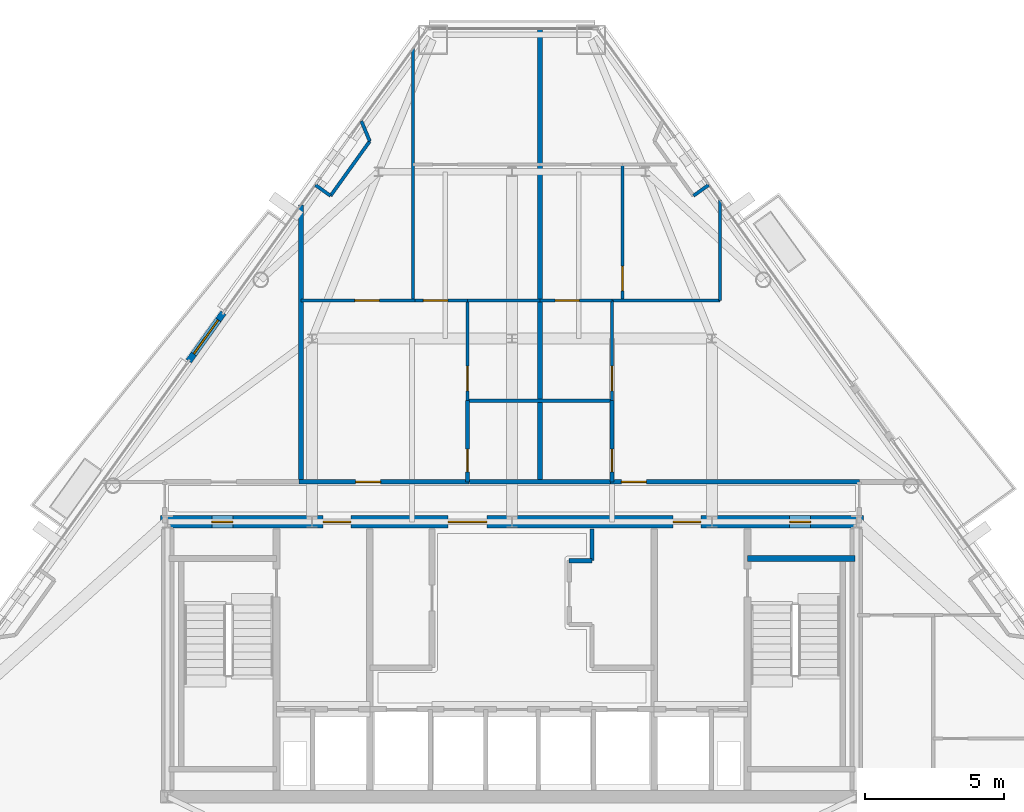
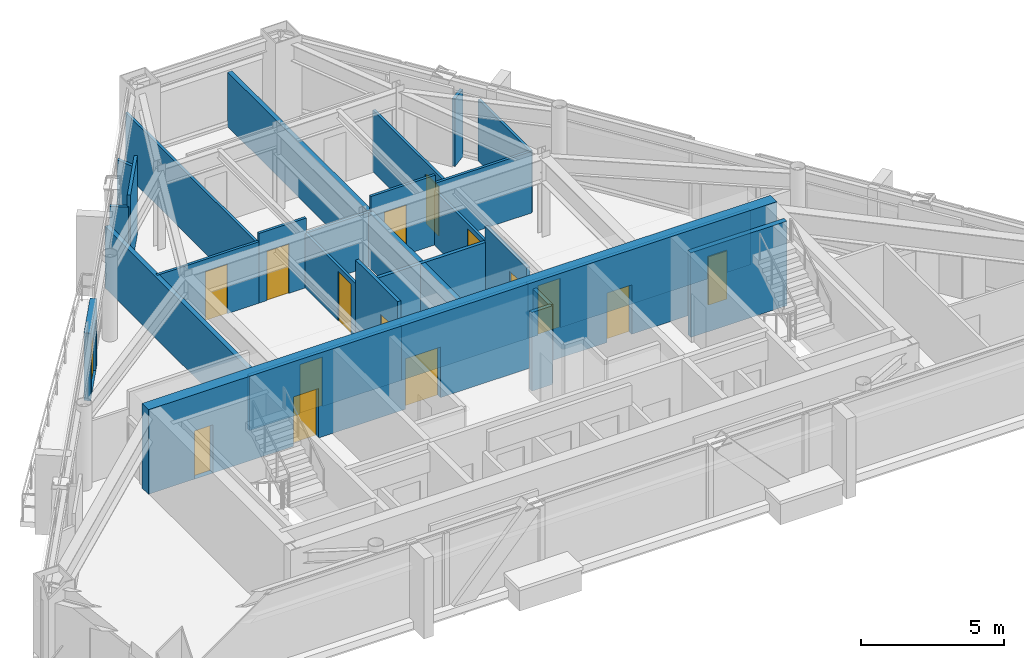
# One storey, part 8 of 11: 27 walls, 16 doors, 16 openings.
"""IFC4 building model written with IfcOpenShell, lengths in metres."""

from ifc_helpers import new_model, si_unit, direction, frame, frame_2d, origin, place, context, subcontext, project, spatial, rectangle, extrude, material, layer, layer_set, type_object, element, fill, save


model = new_model("IFC4")

# Units and contexts
model_context = context("Model", 3, precision=1e-05, world=origin(), true_north=direction((0.0, 1.0)))
body_context = subcontext(model_context, "Body", "Model", "MODEL_VIEW")
ifc_project = project(units=[si_unit("LENGTHUNIT", "METRE"), si_unit("AREAUNIT", "SQUARE_METRE"), si_unit("VOLUMEUNIT", "CUBIC_METRE"), si_unit("PLANEANGLEUNIT", "RADIAN"), si_unit("MASSUNIT", "GRAM", prefix="KILO")], contexts=[model_context])

# Site, building, storey
site_placement = place(None, origin())
site = spatial("IfcSite", under=ifc_project, at=site_placement, CompositionType="ELEMENT")
building_placement = place(site_placement, origin())
building = spatial("IfcBuilding", under=site, at=building_placement, Name="Talgorran Terracotta Tower", CompositionType="ELEMENT")
storey_placement = place(building_placement, frame((0.0, 0.0, 218.10009765625)))
storey = spatial("IfcBuildingStorey", under=building, at=storey_placement, Name="L57", CompositionType="ELEMENT", Elevation=218.10009765625)

# Wall, opening, door
ifc_material_1 = material(Name="Concrete C40/50", Category="concrete")
ifc_layer_1 = layer(ifc_material_1, 0.239990234375, Name="WT_BALCONY_SPAND")
ifc_layer_set_1 = layer_set([ifc_layer_1], Name="Concrete C40/50")
wall_type_1 = type_object("IfcWallType", Name="WT_BALCONY_SPAND", PredefinedType="STANDARD", material=ifc_layer_set_1)
wall_1_placement = place(storey_placement, frame((-10.3896484375, 3.3251953125, -0.01513671875), z_axis=(0.0, 0.0, 1.0), x_axis=(-0.583092889468, -0.812405491274, 0.0)))
wall_1 = element("IfcWall", 1, at=wall_1_placement, inside=storey, type_object=wall_type_1, Name="WL-L57-BALP-BAL-NW", PredefinedType="STANDARD", context=body_context, shape_type="SweptSolid", body=[
    extrude(rectangle(XDim=2.139892578125, YDim=0.239990234375, at=frame_2d((1.06982421875, 0.0))), origin(), (0.0, 0.0, 1.0), 2.8779296875),
])
opening_1_placement = place(wall_1_placement, frame((0.320068359375, 0.0, 0.014892578125)))
opening_1 = element("IfcOpeningElement", 2, at=opening_1_placement, cuts=wall_1, Name="Opening D-BAL-L57-2", PredefinedType="OPENING", context=body_context, shape_type="SweptSolid", body=[
    extrude(rectangle(XDim=1.506, YDim=2.203951171875, at=frame_2d((0.75, 1.10205078125))), frame((0.0, 0.1298828125, 0.0), z_axis=(0.0, -1.0, 0.0), x_axis=(1.0, 0.0, 0.0)), (0.0, 0.0, 1.0), 0.260009765625),
])
ifc_material_2 = material(Name="Thermally Broken Aluminium", Category="aluminium")
door_type_1 = type_object("IfcDoorType", Name="DT_BALC_1500", OperationType="SLIDING_TO_RIGHT", PredefinedType="DOOR", material=ifc_material_2)
door_1_placement = place(opening_1_placement, origin())
door_1 = element("IfcDoor", 3, at=door_1_placement, inside=storey, type_object=door_type_1, Name="DR-L57-BAL-BAL-NW", OperationType="SLIDING_TO_RIGHT", OverallHeight=2.199951171875, OverallWidth=1.5, PredefinedType="DOOR", context=body_context, shape_type="SweptSolid", body=[
    extrude(rectangle(XDim=1.5, YDim=2.199951171875, at=frame_2d((0.75, 1.10009765625))), frame((0.0, 0.02490234375, 0.0), z_axis=(0.0, -1.0, 0.0), x_axis=(1.0, 0.0, 0.0)), (0.0, 0.0, 1.0), 0.050048828125),
])
fill(opening_1, door_1)

# Wall
ifc_material_3 = material(Name="Concrete C50/60", Category="concrete")
ifc_layer_2 = layer(ifc_material_3, 0.199951171875, Name="WT_CORE_200")
ifc_layer_set_2 = layer_set([ifc_layer_2], Name="Concrete C50/60")
wall_type_2 = type_object("IfcWallType", Name="WT_CORE_200", PredefinedType="SOLIDWALL", material=ifc_layer_set_2)
wall_2_placement = place(storey_placement, frame((8.47998046875, -5.52001953125, 0.0), z_axis=(0.0, 0.0, 1.0), x_axis=(1.0, 0.0, 0.0)))
element("IfcWall", 4, at=wall_2_placement, inside=storey, type_object=wall_type_2, Name="WL-L57-CW-ST2-N", PredefinedType="SOLIDWALL", context=body_context, shape_type="SweptSolid", body=[
    extrude(rectangle(XDim=3.8701171875, YDim=0.199951171875, at=frame_2d((1.93505859375, 0.0))), origin(), (0.0, 0.0, 1.0), 3.599853515625),
])

# Wall, openings, doors
ifc_material_4 = material(Name="Concrete C65/80", Category="concrete")
ifc_layer_3 = layer(ifc_material_4, 0.449951171875, Name="WT_CORE_EXT")
ifc_layer_set_3 = layer_set([ifc_layer_3], Name="Concrete C65/80")
wall_type_3 = type_object("IfcWallType", Name="WT_CORE_EXT", PredefinedType="SHEAR", material=ifc_layer_set_3)
wall_3_placement = place(storey_placement, frame((-12.64990234375, -4.199951171875, 0.0), z_axis=(0.0, 0.0, 1.0), x_axis=(1.0, 0.0, 0.0)))
wall_3 = element("IfcWall", 5, at=wall_3_placement, inside=storey, type_object=wall_type_3, Name="WL-L57-CW-OUT-N", PredefinedType="SHEAR", context=body_context, shape_type="SweptSolid", body=[
    extrude(rectangle(XDim=25.2998046875, YDim=0.449951171875, at=frame_2d((12.64990234375, 0.0))), origin(), (0.0, 0.0, 1.0), 3.599853515625),
])
opening_2_placement = place(wall_3_placement, frame((1.85009765625, 0.0, 0.0)))
opening_2 = element("IfcOpeningElement", 6, at=opening_2_placement, cuts=wall_3, Name="Opening DR-CSN1", PredefinedType="OPENING", context=body_context, shape_type="SweptSolid", body=[
    extrude(rectangle(XDim=0.756, YDim=2.054048828125, at=frame_2d((0.375, 1.027099609375))), frame((0.0, 0.23486328125, 0.0), z_axis=(0.0, -1.0, 0.0), x_axis=(1.0, 0.0, 0.0)), (0.0, 0.0, 1.0), 0.469970703125),
])
opening_3_placement = place(wall_3_placement, frame((22.64990234375, 0.0, 0.0)))
opening_3 = element("IfcOpeningElement", 7, at=opening_3_placement, cuts=wall_3, Name="Opening DR-CSN2", PredefinedType="OPENING", context=body_context, shape_type="SweptSolid", body=[
    extrude(rectangle(XDim=0.756, YDim=2.054048828125, at=frame_2d((0.375, 1.027099609375))), frame((0.0, 0.23486328125, 0.0), z_axis=(0.0, -1.0, 0.0), x_axis=(1.0, 0.0, 0.0)), (0.0, 0.0, 1.0), 0.469970703125),
])
opening_4_placement = place(wall_3_placement, frame((5.85009765625, 0.0, 0.0)))
opening_4 = element("IfcOpeningElement", 8, at=opening_4_placement, cuts=wall_3, Name="Opening DR-FFLW-N", PredefinedType="OPENING", context=body_context, shape_type="SweptSolid", body=[
    extrude(rectangle(XDim=1.006, YDim=2.10409765625, at=frame_2d((0.5, 1.052001953125))), frame((0.0, 0.23486328125, 0.0), z_axis=(0.0, -1.0, 0.0), x_axis=(1.0, 0.0, 0.0)), (0.0, 0.0, 1.0), 0.469970703125),
])
opening_5_placement = place(wall_3_placement, frame((10.35009765625, 0.0, 0.0)))
opening_5 = element("IfcOpeningElement", 9, at=opening_5_placement, cuts=wall_3, Name="Opening DR-PLL-N", PredefinedType="OPENING", context=body_context, shape_type="SweptSolid", body=[
    extrude(rectangle(XDim=1.40590234375, YDim=2.15390234375, at=frame_2d((0.699951171875, 1.076904296875))), frame((0.0, 0.23486328125, 0.0), z_axis=(0.0, -1.0, 0.0), x_axis=(1.0, 0.0, 0.0)), (0.0, 0.0, 1.0), 0.469970703125),
])
opening_6_placement = place(wall_3_placement, frame((18.449951171875, 0.0, 0.0)))
opening_6 = element("IfcOpeningElement", 10, at=opening_6_placement, cuts=wall_3, Name="Opening DR-FFLE-N", PredefinedType="OPENING", context=body_context, shape_type="SweptSolid", body=[
    extrude(rectangle(XDim=1.006, YDim=2.10409765625, at=frame_2d((0.5, 1.052001953125))), frame((0.0, 0.23486328125, 0.0), z_axis=(0.0, -1.0, 0.0), x_axis=(1.0, 0.0, 0.0)), (0.0, 0.0, 1.0), 0.469970703125),
])
ifc_material_5 = material(Name="Acoustic Glazed Timber", Category="wood")
door_type_2 = type_object("IfcDoorType", Name="DT_DOUBLE_1400", OperationType="DOUBLE_DOOR_SINGLE_SWING", PredefinedType="DOOR", material=ifc_material_5)
door_2_placement = place(opening_5_placement, origin())
door_2 = element("IfcDoor", 11, at=door_2_placement, inside=storey, type_object=door_type_2, Name="DR-PLL-N", OperationType="DOUBLE_DOOR_SINGLE_SWING", OverallHeight=2.14990234375, OverallWidth=1.39990234375, PredefinedType="DOOR", context=body_context, shape_type="SweptSolid", body=[
    extrude(rectangle(XDim=1.39990234375, YDim=2.14990234375, at=frame_2d((0.699951171875, 1.074951171875))), frame((0.0, 0.02490234375, 0.0), z_axis=(0.0, -1.0, 0.0), x_axis=(1.0, 0.0, 0.0)), (0.0, 0.0, 1.0), 0.050048828125),
])
fill(opening_5, door_2)
ifc_material_6 = material(Name="Fire-Rated Pressed Steel", Category="steel")
door_type_3 = type_object("IfcDoorType", Name="DT_FIRE_1000", OperationType="NOTDEFINED", PredefinedType="DOOR", material=ifc_material_6)
door_3_placement = place(opening_4_placement, origin())
door_3 = element("IfcDoor", 12, at=door_3_placement, inside=storey, type_object=door_type_3, Name="DR-FFLW-N", OperationType="SINGLE_SWING_LEFT", OverallHeight=2.10009765625, OverallWidth=1.0, PredefinedType="DOOR", context=body_context, shape_type="SweptSolid", body=[
    extrude(rectangle(XDim=1.0, YDim=2.10009765625, at=frame_2d((0.5, 1.050048828125))), frame((0.0, 0.02490234375, 0.0), z_axis=(0.0, -1.0, 0.0), x_axis=(1.0, 0.0, 0.0)), (0.0, 0.0, 1.0), 0.050048828125),
])
fill(opening_4, door_3)
door_4_placement = place(opening_6_placement, origin())
door_4 = element("IfcDoor", 13, at=door_4_placement, inside=storey, type_object=door_type_3, Name="DR-FFLE-N", OperationType="SINGLE_SWING_RIGHT", OverallHeight=2.10009765625, OverallWidth=1.0, PredefinedType="DOOR", context=body_context, shape_type="SweptSolid", body=[
    extrude(rectangle(XDim=1.0, YDim=2.10009765625, at=frame_2d((0.5, 1.050048828125))), frame((0.0, 0.02490234375, 0.0), z_axis=(0.0, -1.0, 0.0), x_axis=(1.0, 0.0, 0.0)), (0.0, 0.0, 1.0), 0.050048828125),
])
fill(opening_6, door_4)
door_type_4 = type_object("IfcDoorType", Name="DT_RISER_750", OperationType="NOTDEFINED", PredefinedType="DOOR", material=ifc_material_6)
door_5_placement = place(opening_2_placement, origin())
door_5 = element("IfcDoor", 14, at=door_5_placement, inside=storey, type_object=door_type_4, Name="DR-CSN1", OperationType="SINGLE_SWING_LEFT", OverallHeight=2.050048828125, OverallWidth=0.75, PredefinedType="DOOR", context=body_context, shape_type="SweptSolid", body=[
    extrude(rectangle(XDim=0.75, YDim=2.050048828125, at=frame_2d((0.375, 1.02490234375))), frame((0.0, 0.02490234375, 0.0), z_axis=(0.0, -1.0, 0.0), x_axis=(1.0, 0.0, 0.0)), (0.0, 0.0, 1.0), 0.050048828125),
])
fill(opening_2, door_5)
door_6_placement = place(opening_3_placement, origin())
door_6 = element("IfcDoor", 15, at=door_6_placement, inside=storey, type_object=door_type_4, Name="DR-CSN2", OperationType="SINGLE_SWING_RIGHT", OverallHeight=2.050048828125, OverallWidth=0.75, PredefinedType="DOOR", context=body_context, shape_type="SweptSolid", body=[
    extrude(rectangle(XDim=0.75, YDim=2.050048828125, at=frame_2d((0.375, 1.02490234375))), frame((0.0, 0.02490234375, 0.0), z_axis=(0.0, -1.0, 0.0), x_axis=(1.0, 0.0, 0.0)), (0.0, 0.0, 1.0), 0.050048828125),
])
fill(opening_3, door_6)

# Walls
ifc_material_7 = material(Name="Fire-Rated Steel Stud Plasterboard", Category="steel")
ifc_layer_4 = layer(ifc_material_7, 0.14990234375, Name="WT_FIRE_150")
ifc_layer_set_4 = layer_set([ifc_layer_4], Name="Fire-Rated Steel Stud Plasterboard")
wall_type_4 = type_object("IfcWallType", Name="WT_FIRE_150", PredefinedType="PARTITIONING", material=ifc_layer_set_4)
wall_4_placement = place(storey_placement, frame((2.06005859375, -5.60009765625, 0.0), z_axis=(0.0, 0.0, 1.0), x_axis=(1.0, 0.0, 0.0)))
element("IfcWall", 16, at=wall_4_placement, inside=storey, type_object=wall_type_4, Name="WL-L57-CW-H-E3D", PredefinedType="PARTITIONING", context=body_context, shape_type="SweptSolid", body=[
    extrude(rectangle(XDim=0.81982421875, YDim=0.14990234375, at=frame_2d((0.409912109375, 0.0))), origin(), (0.0, 0.0, 1.0), 3.344970703125),
])
wall_5_placement = place(storey_placement, frame((2.8798828125, -5.60009765625, 0.0), z_axis=(0.0, 0.0, 1.0), x_axis=(0.0, 1.0, 0.0)))
element("IfcWall", 17, at=wall_5_placement, inside=storey, type_object=wall_type_4, Name="WL-L57-CW-V-E3E", PredefinedType="PARTITIONING", context=body_context, shape_type="SweptSolid", body=[
    extrude(rectangle(XDim=1.150146484375, YDim=0.14990234375, at=frame_2d((0.5751953125, 0.0))), origin(), (0.0, 0.0, 1.0), 3.344970703125),
])

# Wall, opening, door
wall_6_placement = place(storey_placement, frame((3.5400390625, -2.760009765625, 0.0), z_axis=(0.0, 0.0, 1.0), x_axis=(1.0, 0.0, 0.0)))
wall_6 = element("IfcWall", 18, at=wall_6_placement, inside=storey, type_object=wall_type_4, Name="WL-L57-W-L57-R07", PredefinedType="PARTITIONING", context=body_context, shape_type="SweptSolid", body=[
    extrude(rectangle(XDim=8.9599609375, YDim=0.14990234375, at=frame_2d((4.47998046875, 0.0))), origin(), (0.0, 0.0, 1.0), 2.31982421875),
])
opening_7_placement = place(wall_6_placement, frame((0.3994140625, 0.0, 0.0)))
opening_7 = element("IfcOpeningElement", 19, at=opening_7_placement, cuts=wall_6, Name="Opening DR-L57-R14", PredefinedType="OPENING", context=body_context, shape_type="SweptSolid", body=[
    extrude(rectangle(XDim=0.90590234375, YDim=2.10409765625, at=frame_2d((0.449951171875, 1.052001953125))), frame((0.0, 0.0849609375, 0.0), z_axis=(0.0, -1.0, 0.0), x_axis=(1.0, 0.0, 0.0)), (0.0, 0.0, 1.0), 0.169921875),
])
ifc_material_8 = material(Name="Fire-Rated Timber Core", Category="wood")
door_type_5 = type_object("IfcDoorType", Name="DT_FIRE_900", OperationType="NOTDEFINED", PredefinedType="DOOR", material=ifc_material_8)
door_7_placement = place(opening_7_placement, origin())
door_7 = element("IfcDoor", 20, at=door_7_placement, inside=storey, type_object=door_type_5, Name="DR-L57-R14", OperationType="SINGLE_SWING_RIGHT", OverallHeight=2.10009765625, OverallWidth=0.89990234375, PredefinedType="DOOR", context=body_context, shape_type="SweptSolid", body=[
    extrude(rectangle(XDim=0.89990234375, YDim=2.10009765625, at=frame_2d((0.449951171875, 1.050048828125))), frame((0.0, 0.02490234375, 0.0), z_axis=(0.0, -1.0, 0.0), x_axis=(1.0, 0.0, 0.0)), (0.0, 0.0, 1.0), 0.050048828125),
])
fill(opening_7, door_7)

wall_7_placement = place(storey_placement, frame((-7.659912109375, -2.760009765625, 0.0), z_axis=(0.0, 0.0, 1.0), x_axis=(1.0, 0.0, 0.0)))
wall_7 = element("IfcWall", 21, at=wall_7_placement, inside=storey, type_object=wall_type_4, Name="WL-L57-W-L57-R05", PredefinedType="PARTITIONING", context=body_context, shape_type="SweptSolid", body=[
    extrude(rectangle(XDim=6.119873046875, YDim=0.14990234375, at=frame_2d((3.06005859375, 0.0))), origin(), (0.0, 0.0, 1.0), 2.31982421875),
])
opening_8_placement = place(wall_7_placement, frame((2.0322265625, 0.0, 0.0)))
opening_8 = element("IfcOpeningElement", 22, at=opening_8_placement, cuts=wall_7, Name="Opening DR-L57-R08", PredefinedType="OPENING", context=body_context, shape_type="SweptSolid", body=[
    extrude(rectangle(XDim=0.90590234375, YDim=2.10409765625, at=frame_2d((0.449951171875, 1.052001953125))), frame((0.0, 0.0849609375, 0.0), z_axis=(0.0, -1.0, 0.0), x_axis=(1.0, 0.0, 0.0)), (0.0, 0.0, 1.0), 0.169921875),
])
door_8_placement = place(opening_8_placement, origin())
door_8 = element("IfcDoor", 23, at=door_8_placement, inside=storey, type_object=door_type_5, Name="DR-L57-R08", OperationType="SINGLE_SWING_RIGHT", OverallHeight=2.10009765625, OverallWidth=0.89990234375, PredefinedType="DOOR", context=body_context, shape_type="SweptSolid", body=[
    extrude(rectangle(XDim=0.89990234375, YDim=2.10009765625, at=frame_2d((0.449951171875, 1.050048828125))), frame((0.0, 0.02490234375, 0.0), z_axis=(0.0, -1.0, 0.0), x_axis=(1.0, 0.0, 0.0)), (0.0, 0.0, 1.0), 0.050048828125),
])
fill(opening_8, door_8)

# Walls
wall_8_placement = place(storey_placement, frame((-1.5380859375, -2.760009765625, 0.0), z_axis=(0.0, 0.0, 1.0), x_axis=(1.0, 0.0, 0.0)))
element("IfcWall", 24, at=wall_8_placement, inside=storey, type_object=wall_type_4, Name="WL-L57-W-L57-R06", PredefinedType="PARTITIONING", context=body_context, shape_type="SweptSolid", body=[
    extrude(rectangle(XDim=5.076171875, YDim=0.14990234375, at=frame_2d((2.5380859375, 0.0))), origin(), (0.0, 0.0, 1.0), 2.31982421875),
])
ifc_material_9 = material(Name="Acoustic Stud and Plasterboard")
ifc_layer_5 = layer(ifc_material_9, 0.179931640625, Name="WT_PARTY_200")
ifc_layer_set_5 = layer_set([ifc_layer_5], Name="Acoustic Stud and Plasterboard")
wall_type_5 = type_object("IfcWallType", Name="WT_PARTY_200", PredefinedType="PARTITIONING", material=ifc_layer_set_5)
wall_9_placement = place(storey_placement, frame((-7.60009765625, -2.760009765625, 0.0), z_axis=(0.0, 0.0, 1.0), x_axis=(0.0, 1.0, 0.0)))
element("IfcWall", 25, at=wall_9_placement, inside=storey, type_object=wall_type_5, Name="WL-L57-W-L57-R15", PredefinedType="PARTITIONING", context=body_context, shape_type="SweptSolid", body=[
    extrude(rectangle(XDim=9.9716796875, YDim=0.179931640625, at=frame_2d((4.98583984375, 0.0))), origin(), (0.0, 0.0, 1.0), 2.619873046875),
])
wall_10_placement = place(storey_placement, frame((1.0, -2.760009765625, 0.0), z_axis=(0.0, 0.0, 1.0), x_axis=(0.0, 1.0, 0.0)))
element("IfcWall", 26, at=wall_10_placement, inside=storey, type_object=wall_type_5, Name="WL-L57-W-L57-R28", PredefinedType="PARTITIONING", context=body_context, shape_type="SweptSolid", body=[
    extrude(rectangle(XDim=16.31298828125, YDim=0.179931640625, at=frame_2d((8.156494140625, 0.0))), origin(), (0.0, 0.0, 1.0), 2.31982421875),
])
ifc_material_10 = material(Name="Lightweight Steel Stud Partition", Category="steel")
ifc_layer_6 = layer(ifc_material_10, 0.10498046875, Name="WT_PART_110")
ifc_layer_set_6 = layer_set([ifc_layer_6], Name="Lightweight Steel Stud Partition")
wall_type_6 = type_object("IfcWallType", Name="WT_PART_110", PredefinedType="PARTITIONING", material=ifc_layer_set_6)
wall_11_placement = place(storey_placement, frame((-3.56005859375, 3.760009765625, 0.0), z_axis=(0.0, 0.0, 1.0), x_axis=(0.0, 1.0, 0.0)))
element("IfcWall", 27, at=wall_11_placement, inside=storey, type_object=wall_type_6, Name="WL-L57-W-L57-R25", PredefinedType="PARTITIONING", context=body_context, shape_type="SweptSolid", body=[
    extrude(rectangle(XDim=9.080078125, YDim=0.10498046875, at=frame_2d((4.5400390625, 0.0))), origin(), (0.0, 0.0, 1.0), 2.619873046875),
])

# Wall, opening, door
wall_12_placement = place(storey_placement, frame((3.97998046875, 3.760009765625, 0.0), z_axis=(0.0, 0.0, 1.0), x_axis=(0.0, 1.0, 0.0)))
wall_12 = element("IfcWall", 28, at=wall_12_placement, inside=storey, type_object=wall_type_6, Name="WL-L57-W-L57-R37", PredefinedType="PARTITIONING", context=body_context, shape_type="SweptSolid", body=[
    extrude(rectangle(XDim=4.89990234375, YDim=0.10498046875, at=frame_2d((2.449951171875, 0.0))), origin(), (0.0, 0.0, 1.0), 2.619873046875),
])
opening_9_placement = place(wall_12_placement, frame((0.358642578125, 0.0, 0.0)))
opening_9 = element("IfcOpeningElement", 29, at=opening_9_placement, cuts=wall_12, Name="Opening DR-L57-R16", PredefinedType="OPENING", context=body_context, shape_type="SweptSolid", body=[
    extrude(rectangle(XDim=0.8858828125, YDim=2.10409765625, at=frame_2d((0.43994140625, 1.052001953125))), frame((0.0, 0.0625, 0.0), z_axis=(0.0, -1.0, 0.0), x_axis=(1.0, 0.0, 0.0)), (0.0, 0.0, 1.0), 0.125),
])
ifc_material_11 = material(Name="Solid-Core Painted Timber", Category="wood")
door_type_6 = type_object("IfcDoorType", Name="DT_INT_880", OperationType="NOTDEFINED", PredefinedType="DOOR", material=ifc_material_11)
door_9_placement = place(opening_9_placement, origin())
door_9 = element("IfcDoor", 30, at=door_9_placement, inside=storey, type_object=door_type_6, Name="DR-L57-R16", OperationType="SINGLE_SWING_RIGHT", OverallHeight=2.10009765625, OverallWidth=0.8798828125, PredefinedType="DOOR", context=body_context, shape_type="SweptSolid", body=[
    extrude(rectangle(XDim=0.8798828125, YDim=2.10009765625, at=frame_2d((0.43994140625, 1.050048828125))), frame((0.0, 0.02490234375, 0.0), z_axis=(0.0, -1.0, 0.0), x_axis=(1.0, 0.0, 0.0)), (0.0, 0.0, 1.0), 0.050048828125),
])
fill(opening_9, door_9)

wall_13_placement = place(storey_placement, frame((-7.60009765625, 3.760009765625, 0.0), z_axis=(0.0, 0.0, 1.0), x_axis=(1.0, 0.0, 0.0)))
wall_13 = element("IfcWall", 31, at=wall_13_placement, inside=storey, type_object=wall_type_6, Name="WL-L57-W-L57-R23", PredefinedType="PARTITIONING", context=body_context, shape_type="SweptSolid", body=[
    extrude(rectangle(XDim=4.10009765625, YDim=0.10498046875, at=frame_2d((2.050048828125, 0.0))), origin(), (0.0, 0.0, 1.0), 2.619873046875),
])
opening_10_placement = place(wall_13_placement, frame((1.94775390625, 0.0, 0.0)))
opening_10 = element("IfcOpeningElement", 32, at=opening_10_placement, cuts=wall_13, Name="Opening DR-L57-R09", PredefinedType="OPENING", context=body_context, shape_type="SweptSolid", body=[
    extrude(rectangle(XDim=0.8858828125, YDim=2.10409765625, at=frame_2d((0.43994140625, 1.052001953125))), frame((0.0, 0.0625, 0.0), z_axis=(0.0, -1.0, 0.0), x_axis=(1.0, 0.0, 0.0)), (0.0, 0.0, 1.0), 0.125),
])
door_10_placement = place(opening_10_placement, origin())
door_10 = element("IfcDoor", 33, at=door_10_placement, inside=storey, type_object=door_type_6, Name="DR-L57-R09", OperationType="SINGLE_SWING_LEFT", OverallHeight=2.10009765625, OverallWidth=0.8798828125, PredefinedType="DOOR", context=body_context, shape_type="SweptSolid", body=[
    extrude(rectangle(XDim=0.8798828125, YDim=2.10009765625, at=frame_2d((0.43994140625, 1.050048828125))), frame((0.0, 0.02490234375, 0.0), z_axis=(0.0, -1.0, 0.0), x_axis=(1.0, 0.0, 0.0)), (0.0, 0.0, 1.0), 0.050048828125),
])
fill(opening_10, door_10)

# Wall
wall_14_placement = place(storey_placement, frame((7.47998046875, 3.760009765625, 0.0), z_axis=(0.0, 0.0, 1.0), x_axis=(0.0, 1.0, 0.0)))
element("IfcWall", 34, at=wall_14_placement, inside=storey, type_object=wall_type_6, Name="WL-L57-W-L57-R36", PredefinedType="PARTITIONING", context=body_context, shape_type="SweptSolid", body=[
    extrude(rectangle(XDim=3.618896484375, YDim=0.10498046875, at=frame_2d((1.8095703125, 0.0))), origin(), (0.0, 0.0, 1.0), 2.619873046875),
])

# Wall, opening, door
wall_15_placement = place(storey_placement, frame((-1.60009765625, 0.159912109375, 0.0), z_axis=(0.0, 0.0, 1.0), x_axis=(0.0, 1.0, 0.0)))
wall_15 = element("IfcWall", 35, at=wall_15_placement, inside=storey, type_object=wall_type_6, Name="WL-L57-W-L57-R20", PredefinedType="PARTITIONING", context=body_context, shape_type="SweptSolid", body=[
    extrude(rectangle(XDim=3.60009765625, YDim=0.10498046875, at=frame_2d((1.800048828125, 0.0))), origin(), (0.0, 0.0, 1.0), 2.31982421875),
])
opening_11_placement = place(wall_15_placement, frame((0.360107421875, 0.0, 0.0)))
opening_11 = element("IfcOpeningElement", 36, at=opening_11_placement, cuts=wall_15, Name="Opening DR-L57-R07", PredefinedType="OPENING", context=body_context, shape_type="SweptSolid", body=[
    extrude(rectangle(XDim=0.8858828125, YDim=2.10409765625, at=frame_2d((0.43994140625, 1.052001953125))), frame((0.0, 0.0625, 0.0), z_axis=(0.0, -1.0, 0.0), x_axis=(1.0, 0.0, 0.0)), (0.0, 0.0, 1.0), 0.125),
])
door_11_placement = place(opening_11_placement, origin())
door_11 = element("IfcDoor", 37, at=door_11_placement, inside=storey, type_object=door_type_6, Name="DR-L57-R07", OperationType="SINGLE_SWING_LEFT", OverallHeight=2.10009765625, OverallWidth=0.8798828125, PredefinedType="DOOR", context=body_context, shape_type="SweptSolid", body=[
    extrude(rectangle(XDim=0.8798828125, YDim=2.10009765625, at=frame_2d((0.43994140625, 1.050048828125))), frame((0.0, 0.02490234375, 0.0), z_axis=(0.0, -1.0, 0.0), x_axis=(1.0, 0.0, 0.0)), (0.0, 0.0, 1.0), 0.050048828125),
])
fill(opening_11, door_11)

wall_16_placement = place(storey_placement, frame((3.60009765625, 0.159912109375, 0.0), z_axis=(0.0, 0.0, 1.0), x_axis=(0.0, 1.0, 0.0)))
wall_16 = element("IfcWall", 38, at=wall_16_placement, inside=storey, type_object=wall_type_6, Name="WL-L57-W-L57-R32", PredefinedType="PARTITIONING", context=body_context, shape_type="SweptSolid", body=[
    extrude(rectangle(XDim=3.60009765625, YDim=0.10498046875, at=frame_2d((1.800048828125, 0.0))), origin(), (0.0, 0.0, 1.0), 2.31982421875),
])
opening_12_placement = place(wall_16_placement, frame((0.360107421875, 0.0, 0.0)))
opening_12 = element("IfcOpeningElement", 39, at=opening_12_placement, cuts=wall_16, Name="Opening DR-L57-R13", PredefinedType="OPENING", context=body_context, shape_type="SweptSolid", body=[
    extrude(rectangle(XDim=0.8858828125, YDim=2.10409765625, at=frame_2d((0.43994140625, 1.052001953125))), frame((0.0, 0.0625, 0.0), z_axis=(0.0, -1.0, 0.0), x_axis=(1.0, 0.0, 0.0)), (0.0, 0.0, 1.0), 0.125),
])
door_12_placement = place(opening_12_placement, origin())
door_12 = element("IfcDoor", 40, at=door_12_placement, inside=storey, type_object=door_type_6, Name="DR-L57-R13", OperationType="SINGLE_SWING_LEFT", OverallHeight=2.10009765625, OverallWidth=0.8798828125, PredefinedType="DOOR", context=body_context, shape_type="SweptSolid", body=[
    extrude(rectangle(XDim=0.8798828125, YDim=2.10009765625, at=frame_2d((0.43994140625, 1.050048828125))), frame((0.0, 0.02490234375, 0.0), z_axis=(0.0, -1.0, 0.0), x_axis=(1.0, 0.0, 0.0)), (0.0, 0.0, 1.0), 0.050048828125),
])
fill(opening_12, door_12)

# Walls
wall_17_placement = place(storey_placement, frame((3.60009765625, 3.760009765625, 0.0), z_axis=(0.0, 0.0, 1.0), x_axis=(1.0, 0.0, 0.0)))
element("IfcWall", 41, at=wall_17_placement, inside=storey, type_object=wall_type_6, Name="WL-L57-W-L57-R35", PredefinedType="PARTITIONING", context=body_context, shape_type="SweptSolid", body=[
    extrude(rectangle(XDim=3.8798828125, YDim=0.10498046875, at=frame_2d((1.93994140625, 0.0))), origin(), (0.0, 0.0, 1.0), 2.619873046875),
])
wall_18_placement = place(storey_placement, frame((-1.60009765625, 3.760009765625, 0.0), z_axis=(0.0, 0.0, 1.0), x_axis=(1.0, 0.0, 0.0)))
element("IfcWall", 42, at=wall_18_placement, inside=storey, type_object=wall_type_6, Name="WL-L57-W-L57-R21", PredefinedType="PARTITIONING", context=body_context, shape_type="SweptSolid", body=[
    extrude(rectangle(XDim=2.60009765625, YDim=0.10498046875, at=frame_2d((1.300048828125, 0.0))), origin(), (0.0, 0.0, 1.0), 2.31982421875),
])

# Wall, opening, door
wall_19_placement = place(storey_placement, frame((1.0, 3.760009765625, 0.0), z_axis=(0.0, 0.0, 1.0), x_axis=(1.0, 0.0, 0.0)))
wall_19 = element("IfcWall", 43, at=wall_19_placement, inside=storey, type_object=wall_type_6, Name="WL-L57-W-L57-R33", PredefinedType="PARTITIONING", context=body_context, shape_type="SweptSolid", body=[
    extrude(rectangle(XDim=2.60009765625, YDim=0.10498046875, at=frame_2d((1.300048828125, 0.0))), origin(), (0.0, 0.0, 1.0), 2.96435546875),
])
opening_13_placement = place(wall_19_placement, frame((0.54833984375, 0.0, 0.0)))
opening_13 = element("IfcOpeningElement", 44, at=opening_13_placement, cuts=wall_19, Name="Opening DR-L57-R18", PredefinedType="OPENING", context=body_context, shape_type="SweptSolid", body=[
    extrude(rectangle(XDim=0.8858828125, YDim=2.10409765625, at=frame_2d((0.43994140625, 1.052001953125))), frame((0.0, 0.0625, 0.0), z_axis=(0.0, -1.0, 0.0), x_axis=(1.0, 0.0, 0.0)), (0.0, 0.0, 1.0), 0.125),
])
door_13_placement = place(opening_13_placement, origin())
door_13 = element("IfcDoor", 45, at=door_13_placement, inside=storey, type_object=door_type_6, Name="DR-L57-R18", OperationType="SINGLE_SWING_RIGHT", OverallHeight=2.10009765625, OverallWidth=0.8798828125, PredefinedType="DOOR", context=body_context, shape_type="SweptSolid", body=[
    extrude(rectangle(XDim=0.8798828125, YDim=2.10009765625, at=frame_2d((0.43994140625, 1.050048828125))), frame((0.0, 0.02490234375, 0.0), z_axis=(0.0, -1.0, 0.0), x_axis=(1.0, 0.0, 0.0)), (0.0, 0.0, 1.0), 0.050048828125),
])
fill(opening_13, door_13)

wall_20_placement = place(storey_placement, frame((-3.498046875, 3.760009765625, 0.0), z_axis=(0.0, 0.0, 1.0), x_axis=(1.0, 0.0, 0.0)))
wall_20 = element("IfcWall", 46, at=wall_20_placement, inside=storey, type_object=wall_type_6, Name="WL-L57-W-L57-R24", PredefinedType="PARTITIONING", context=body_context, shape_type="SweptSolid", body=[
    extrude(rectangle(XDim=1.89794921875, YDim=0.10498046875, at=frame_2d((0.948974609375, 0.0))), origin(), (0.0, 0.0, 1.0), 2.96435546875),
])
opening_14_placement = place(wall_20_placement, frame((0.31103515625, 0.0, 0.0)))
opening_14 = element("IfcOpeningElement", 47, at=opening_14_placement, cuts=wall_20, Name="Opening DR-L57-R10", PredefinedType="OPENING", context=body_context, shape_type="SweptSolid", body=[
    extrude(rectangle(XDim=0.8858828125, YDim=2.10409765625, at=frame_2d((0.43994140625, 1.052001953125))), frame((0.0, 0.0625, 0.0), z_axis=(0.0, -1.0, 0.0), x_axis=(1.0, 0.0, 0.0)), (0.0, 0.0, 1.0), 0.125),
])
door_14_placement = place(opening_14_placement, origin())
door_14 = element("IfcDoor", 48, at=door_14_placement, inside=storey, type_object=door_type_6, Name="DR-L57-R10", OperationType="SINGLE_SWING_RIGHT", OverallHeight=2.10009765625, OverallWidth=0.8798828125, PredefinedType="DOOR", context=body_context, shape_type="SweptSolid", body=[
    extrude(rectangle(XDim=0.8798828125, YDim=2.10009765625, at=frame_2d((0.43994140625, 1.050048828125))), frame((0.0, 0.02490234375, 0.0), z_axis=(0.0, -1.0, 0.0), x_axis=(1.0, 0.0, 0.0)), (0.0, 0.0, 1.0), 0.050048828125),
])
fill(opening_14, door_14)

# Walls
ifc_material_12 = material(Name="Insulated Steel Stud Plasterboard", Category="steel")
ifc_layer_7 = layer(ifc_material_12, 0.1201171875, Name="WT_PART_120")
ifc_layer_set_7 = layer_set([ifc_layer_7], Name="Insulated Steel Stud Plasterboard")
wall_type_7 = type_object("IfcWallType", Name="WT_PART_120", PredefinedType="PARTITIONING", material=ifc_layer_set_7)
wall_21_placement = place(storey_placement, frame((-5.11962890625, 9.5009765625, 0.0), z_axis=(0.0, 0.0, 1.0), x_axis=(-0.583153890419, -0.812361705208, 0.0)))
element("IfcWall", 49, at=wall_21_placement, inside=storey, type_object=wall_type_7, Name="WL-L57-BW-L57-14", PredefinedType="PARTITIONING", context=body_context, shape_type="SweptSolid", body=[
    extrude(rectangle(XDim=2.421142578125, YDim=0.1201171875, at=frame_2d((1.21044921875, 0.0))), origin(), (0.0, 0.0, 1.0), 3.344970703125),
])
wall_22_placement = place(storey_placement, frame((-5.42333984375, 10.22705078125, 0.0), z_axis=(0.0, 0.0, 1.0), x_axis=(0.385892538704, -0.922543738027, 0.0)))
element("IfcWall", 50, at=wall_22_placement, inside=storey, type_object=wall_type_7, Name="WL-L57-BW-L57-13", PredefinedType="PARTITIONING", context=body_context, shape_type="SweptSolid", body=[
    extrude(rectangle(XDim=0.787109375, YDim=0.1201171875, at=frame_2d((0.3935546875, 0.0))), origin(), (0.0, 0.0, 1.0), 2.86279296875),
])
for number, where, z_axis, x_axis, name in (
    (51, (-6.531494140625, 7.5341796875, 0.0), (0.0, 0.0, 1.0), (-0.812376857286, 0.58313278226, 0.0), "WL-L57-BW-L57-15"),
    (52, (7.07568359375, 7.9248046875, 0.0), (0.0, 0.0, 1.0), (-0.812376857286, -0.58313278226, 0.0), "WL-L57-BW-L57-16"),
):
    element("IfcWall", number, at=place(storey_placement, frame(where, z_axis=z_axis, x_axis=x_axis)), inside=storey, type_object=wall_type_7, Name=name, PredefinedType="PARTITIONING", context=body_context, shape_type="SweptSolid", body=[
        extrude(rectangle(XDim=0.669921875, YDim=0.1201171875, at=frame_2d((0.3349609375, 0.0))), origin(), (0.0, 0.0, 1.0), 2.86279296875),
    ])

# Wall, opening, door
ifc_material_13 = material(Name="Moisture-Resistant Stud Wall")
ifc_layer_8 = layer(ifc_material_13, 0.135009765625, Name="WT_PART_135")
ifc_layer_set_8 = layer_set([ifc_layer_8], Name="Moisture-Resistant Stud Wall")
wall_type_8 = type_object("IfcWallType", Name="WT_PART_135", PredefinedType="PARTITIONING", material=ifc_layer_set_8)
wall_23_placement = place(storey_placement, frame((-1.60009765625, -2.760009765625, 0.0), z_axis=(0.0, 0.0, 1.0), x_axis=(0.0, 1.0, 0.0)))
wall_23 = element("IfcWall", 53, at=wall_23_placement, inside=storey, type_object=wall_type_8, Name="WL-L57-W-L57-R18", PredefinedType="PARTITIONING", context=body_context, shape_type="SweptSolid", body=[
    extrude(rectangle(XDim=2.919921875, YDim=0.135009765625, at=frame_2d((1.4599609375, 0.0))), origin(), (0.0, 0.0, 1.0), 3.344970703125),
])
opening_15_placement = place(wall_23_placement, frame((0.357421875, 0.0, 0.0)))
opening_15 = element("IfcOpeningElement", 54, at=opening_15_placement, cuts=wall_23, Name="Opening DR-L57-R06", PredefinedType="OPENING", context=body_context, shape_type="SweptSolid", body=[
    extrude(rectangle(XDim=0.826068359375, YDim=2.10409765625, at=frame_2d((0.41015625, 1.052001953125))), frame((0.0, 0.07763671875, 0.0), z_axis=(0.0, -1.0, 0.0), x_axis=(1.0, 0.0, 0.0)), (0.0, 0.0, 1.0), 0.155029296875),
])
ifc_material_14 = material(Name="Moisture-Resistant Solid Timber", Category="wood")
door_type_7 = type_object("IfcDoorType", Name="DT_INT_820", OperationType="NOTDEFINED", PredefinedType="DOOR", material=ifc_material_14)
door_15_placement = place(opening_15_placement, origin())
door_15 = element("IfcDoor", 55, at=door_15_placement, inside=storey, type_object=door_type_7, Name="DR-L57-R06", OperationType="SINGLE_SWING_RIGHT", OverallHeight=2.10009765625, OverallWidth=0.820068359375, PredefinedType="DOOR", context=body_context, shape_type="SweptSolid", body=[
    extrude(rectangle(XDim=0.820068359375, YDim=2.10009765625, at=frame_2d((0.41015625, 1.050048828125))), frame((0.0, 0.02490234375, 0.0), z_axis=(0.0, -1.0, 0.0), x_axis=(1.0, 0.0, 0.0)), (0.0, 0.0, 1.0), 0.050048828125),
])
fill(opening_15, door_15)

wall_24_placement = place(storey_placement, frame((3.60009765625, -2.760009765625, 0.0), z_axis=(0.0, 0.0, 1.0), x_axis=(0.0, 1.0, 0.0)))
wall_24 = element("IfcWall", 56, at=wall_24_placement, inside=storey, type_object=wall_type_8, Name="WL-L57-W-L57-R31", PredefinedType="PARTITIONING", context=body_context, shape_type="SweptSolid", body=[
    extrude(rectangle(XDim=2.919921875, YDim=0.135009765625, at=frame_2d((1.4599609375, 0.0))), origin(), (0.0, 0.0, 1.0), 2.96435546875),
])
opening_16_placement = place(wall_24_placement, frame((0.357421875, 0.0, 0.0)))
opening_16 = element("IfcOpeningElement", 57, at=opening_16_placement, cuts=wall_24, Name="Opening DR-L57-R12", PredefinedType="OPENING", context=body_context, shape_type="SweptSolid", body=[
    extrude(rectangle(XDim=0.826068359375, YDim=2.10409765625, at=frame_2d((0.41015625, 1.052001953125))), frame((0.0, 0.07763671875, 0.0), z_axis=(0.0, -1.0, 0.0), x_axis=(1.0, 0.0, 0.0)), (0.0, 0.0, 1.0), 0.155029296875),
])
door_16_placement = place(opening_16_placement, origin())
door_16 = element("IfcDoor", 58, at=door_16_placement, inside=storey, type_object=door_type_7, Name="DR-L57-R12", OperationType="SINGLE_SWING_RIGHT", OverallHeight=2.10009765625, OverallWidth=0.820068359375, PredefinedType="DOOR", context=body_context, shape_type="SweptSolid", body=[
    extrude(rectangle(XDim=0.820068359375, YDim=2.10009765625, at=frame_2d((0.41015625, 1.050048828125))), frame((0.0, 0.02490234375, 0.0), z_axis=(0.0, -1.0, 0.0), x_axis=(1.0, 0.0, 0.0)), (0.0, 0.0, 1.0), 0.050048828125),
])
fill(opening_16, door_16)

# Wall
wall_25_placement = place(storey_placement, frame((-1.60009765625, 0.159912109375, 0.0), z_axis=(0.0, 0.0, 1.0), x_axis=(1.0, 0.0, 0.0)))
element("IfcWall", 59, at=wall_25_placement, inside=storey, type_object=wall_type_8, Name="WL-L57-W-L57-R17", PredefinedType="PARTITIONING", context=body_context, shape_type="SweptSolid", body=[
    extrude(rectangle(XDim=5.2001953125, YDim=0.135009765625, at=frame_2d((2.60009765625, 0.0))), origin(), (0.0, 0.0, 1.0), 2.31982421875),
])

save(model, "model.ifc")
